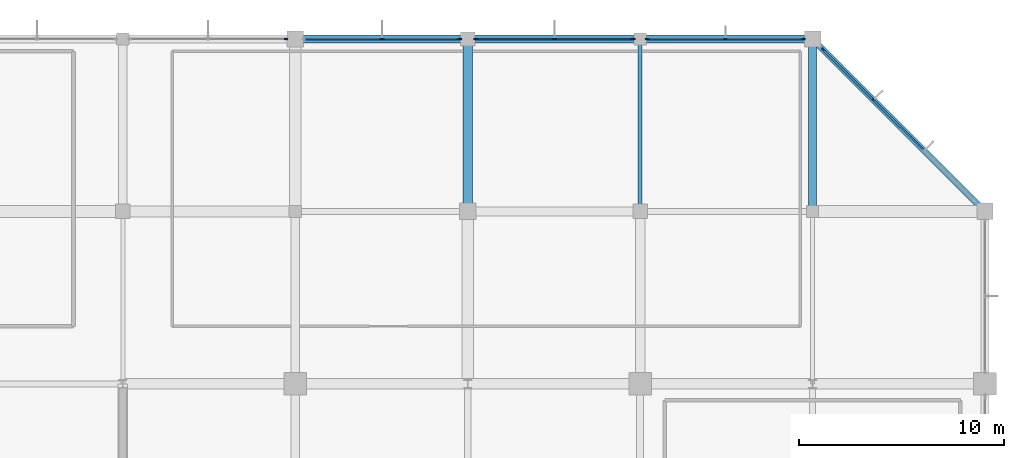
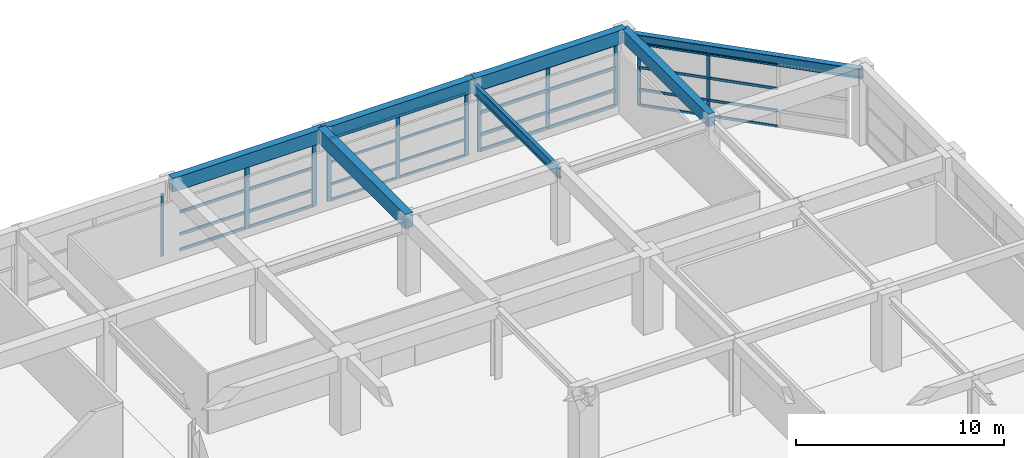
# One storey, part 34 of 56: 43 members, 7 beams, 5 elements without a shape of their own.
"""IFC4 building model written with IfcOpenShell, lengths in metres."""

from ifc_helpers import new_model, si_unit, direction, frame, origin, origin_2d, place, context, subcontext, project, spatial, rectangle, i_section, extrude, material, material_profile, profile_set, type_object, element, aggregate, save


model = new_model("IFC4")

# Units and contexts
model_context = context("Model", 3, precision=1e-05, world=origin(), true_north=direction((0.0, 1.0)))
body_context = subcontext(model_context, "Body", "Model", "MODEL_VIEW")
ifc_project = project(units=[si_unit("LENGTHUNIT", "METRE"), si_unit("AREAUNIT", "SQUARE_METRE"), si_unit("VOLUMEUNIT", "CUBIC_METRE"), si_unit("PLANEANGLEUNIT", "RADIAN"), si_unit("MASSUNIT", "GRAM", prefix="KILO")], contexts=[model_context])

# Site, building, storey
site_placement = place(None, origin())
site = spatial("IfcSite", under=ifc_project, at=site_placement, CompositionType="ELEMENT")
building_placement = place(site_placement, origin())
building = spatial("IfcBuilding", under=site, at=building_placement, Name="Xuanlan Plaza Opera House", CompositionType="ELEMENT")
storey_placement = place(building_placement, frame((0.0, 0.0, 18.89990234375)))
storey = spatial("IfcBuildingStorey", under=building, at=storey_placement, Name="L04", CompositionType="ELEMENT", Elevation=18.89990234375)

# Curtain wall, member
ifc_material_1 = material(Name="Anodised Aluminium 6063-T6 and Low-E Glass", Category="aluminium")
curtain_wall_type_1 = type_object("IfcCurtainWallType", Name="ENV-CW-CW-05", PredefinedType="USERDEFINED", material=ifc_material_1)
curtain_wall_1_placement = place(storey_placement, origin())
curtain_wall_1 = element("IfcCurtainWall", 1, at=curtain_wall_1_placement, inside=storey, type_object=curtain_wall_type_1, Name="Acoustic Glazed Wall L04-030", ObjectType="ACOUSTIC GLAZED WALL", PredefinedType="USERDEFINED")
ifc_material_2 = material(Name="Anodised Aluminium 6063-T6", Category="aluminium")
ifc_material_profile_1 = material_profile(ifc_material_2, rectangle(XDim=0.06494140625, YDim=0.159912109375, at=origin_2d()), Name="ALU-M 65x160")
ifc_profile_set_1 = profile_set([ifc_material_profile_1], Name="Anodised Aluminium 6063-T6")
member_type_1 = type_object("IfcMemberType", Name="ENV-CWM-01", PredefinedType="MULLION", material=ifc_profile_set_1)
member_1_placement = place(storey_placement, frame((133.947509765625, 100.800048828125, 0.0), z_axis=(0.0, 0.0, 1.0), x_axis=(0.0, -1.0, 0.0)))
member_1 = element("IfcMember", 2, at=member_1_placement, type_object=member_type_1, Name="CW-05 mullion 1", PredefinedType="MULLION", context=body_context, shape_type="SweptSolid", body=[
    extrude(rectangle(XDim=0.06494140625, YDim=0.159912109375, at=origin_2d()), origin(), (0.0, 0.0, 1.0), 3.68017578125),
])
aggregate(curtain_wall_1, [member_1])

# Curtain wall, members
curtain_wall_type_2 = type_object("IfcCurtainWallType", Name="ENV-CW-CW-04", PredefinedType="USERDEFINED", material=ifc_material_1)
curtain_wall_2_placement = place(storey_placement, origin())
curtain_wall_2 = element("IfcCurtainWall", 3, at=curtain_wall_2_placement, inside=storey, type_object=curtain_wall_type_2, Name="Unitised Curtain Wall L04-026", ObjectType="UNITISED CURTAIN WALL", PredefinedType="USERDEFINED")
ifc_material_profile_2 = material_profile(ifc_material_2, rectangle(XDim=0.070068359375, YDim=0.179931640625, at=origin_2d()), Name="ALU-M 70x180")
ifc_profile_set_2 = profile_set([ifc_material_profile_2], Name="Anodised Aluminium 6063-T6")
member_type_2 = type_object("IfcMemberType", Name="ENV-CWM-02", PredefinedType="MULLION", material=ifc_profile_set_2)
member_2_placement = place(storey_placement, frame((162.56640625, 97.833740234375, 0.0), z_axis=(0.0, 0.0, 1.0), x_axis=(-0.707106781187, -0.707106781187, 0.0)))
member_2 = element("IfcMember", 4, at=member_2_placement, type_object=member_type_2, Name="CW-04 mullion 3", PredefinedType="MULLION", context=body_context, shape_type="SweptSolid", body=[
    extrude(rectangle(XDim=0.070068359375, YDim=0.179931640625, at=origin_2d()), origin(), (0.0, 0.0, 1.0), 3.68017578125),
])
member_3_placement = place(storey_placement, frame((160.123779296875, 100.2763671875, 0.0), z_axis=(0.0, 0.0, 1.0), x_axis=(-0.707106781187, -0.707106781187, 0.0)))
member_3 = element("IfcMember", 5, at=member_3_placement, type_object=member_type_2, Name="CW-04 mullion 4", PredefinedType="MULLION", context=body_context, shape_type="SweptSolid", body=[
    extrude(rectangle(XDim=0.070068359375, YDim=0.179931640625, at=origin_2d()), origin(), (0.0, 0.0, 1.0), 3.68017578125),
])

curtain_wall_type_3 = type_object("IfcCurtainWallType", Name="ENV-CW-CW-01", PredefinedType="USERDEFINED", material=ifc_material_1)
curtain_wall_3_placement = place(storey_placement, origin())
curtain_wall_3 = element("IfcCurtainWall", 6, at=curtain_wall_3_placement, inside=storey, type_object=curtain_wall_type_3, Name="Unitised Curtain Wall L04-027", ObjectType="UNITISED CURTAIN WALL", PredefinedType="USERDEFINED")
ifc_material_profile_3 = material_profile(ifc_material_2, rectangle(XDim=0.074951171875, YDim=0.199951171875, at=origin_2d()), Name="ALU-M 75x200")
ifc_profile_set_3 = profile_set([ifc_material_profile_3], Name="Anodised Aluminium 6063-T6")
member_type_3 = type_object("IfcMemberType", Name="ENV-CWM-03", PredefinedType="MULLION", material=ifc_profile_set_3)
member_4_placement = place(storey_placement, frame((159.142578125, 100.800048828125, 0.0), z_axis=(0.0, 0.0, 1.0), x_axis=(0.0, -1.0, 0.0)))
member_4 = element("IfcMember", 7, at=member_4_placement, type_object=member_type_3, Name="CW-01 mullion 1", PredefinedType="MULLION", context=body_context, shape_type="SweptSolid", body=[
    extrude(rectangle(XDim=0.074951171875, YDim=0.199951171875, at=origin_2d()), origin(), (0.0, 0.0, 1.0), 3.68017578125),
])
member_5_placement = place(storey_placement, frame((155.35009765625, 100.800048828125, 0.0), z_axis=(0.0, 0.0, 1.0), x_axis=(0.0, -1.0, 0.0)))
member_5 = element("IfcMember", 8, at=member_5_placement, type_object=member_type_3, Name="CW-01 mullion 2", PredefinedType="MULLION", context=body_context, shape_type="SweptSolid", body=[
    extrude(rectangle(XDim=0.074951171875, YDim=0.199951171875, at=origin_2d()), origin(), (0.0, 0.0, 1.0), 3.68017578125),
])
member_6_placement = place(storey_placement, frame((151.5576171875, 100.800048828125, 0.0), z_axis=(0.0, 0.0, 1.0), x_axis=(0.0, -1.0, 0.0)))
member_6 = element("IfcMember", 9, at=member_6_placement, type_object=member_type_3, Name="CW-01 mullion 3", PredefinedType="MULLION", context=body_context, shape_type="SweptSolid", body=[
    extrude(rectangle(XDim=0.074951171875, YDim=0.199951171875, at=origin_2d()), origin(), (0.0, 0.0, 1.0), 3.68017578125),
])

curtain_wall_type_4 = type_object("IfcCurtainWallType", Name="ENV-CW-CW-02", PredefinedType="USERDEFINED", material=ifc_material_1)
curtain_wall_4_placement = place(storey_placement, origin())
curtain_wall_4 = element("IfcCurtainWall", 10, at=curtain_wall_4_placement, inside=storey, type_object=curtain_wall_type_4, Name="Unitised Curtain Wall L04-028", ObjectType="UNITISED CURTAIN WALL", PredefinedType="USERDEFINED")
ifc_material_profile_4 = material_profile(ifc_material_2, rectangle(XDim=0.080078125, YDim=0.219970703125, at=origin_2d()), Name="ALU-M 80x220")
ifc_profile_set_4 = profile_set([ifc_material_profile_4], Name="Anodised Aluminium 6063-T6")
member_type_4 = type_object("IfcMemberType", Name="ENV-CWM-04", PredefinedType="MULLION", material=ifc_profile_set_4)
member_7_placement = place(storey_placement, frame((150.840087890625, 100.800048828125, 0.0), z_axis=(0.0, 0.0, 1.0), x_axis=(0.0, -1.0, 0.0)))
member_7 = element("IfcMember", 11, at=member_7_placement, type_object=member_type_4, Name="CW-02 mullion 1", PredefinedType="MULLION", context=body_context, shape_type="SweptSolid", body=[
    extrude(rectangle(XDim=0.080078125, YDim=0.219970703125, at=origin_2d()), origin(), (0.0, 0.0, 1.0), 3.68017578125),
])
member_8_placement = place(storey_placement, frame((147.02490234375, 100.800048828125, 0.0), z_axis=(0.0, 0.0, 1.0), x_axis=(0.0, -1.0, 0.0)))
member_8 = element("IfcMember", 12, at=member_8_placement, type_object=member_type_4, Name="CW-02 mullion 2", PredefinedType="MULLION", context=body_context, shape_type="SweptSolid", body=[
    extrude(rectangle(XDim=0.080078125, YDim=0.219970703125, at=origin_2d()), origin(), (0.0, 0.0, 1.0), 3.68017578125),
])
member_9_placement = place(storey_placement, frame((143.2099609375, 100.800048828125, 0.0), z_axis=(0.0, 0.0, 1.0), x_axis=(0.0, -1.0, 0.0)))
member_9 = element("IfcMember", 13, at=member_9_placement, type_object=member_type_4, Name="CW-02 mullion 3", PredefinedType="MULLION", context=body_context, shape_type="SweptSolid", body=[
    extrude(rectangle(XDim=0.080078125, YDim=0.219970703125, at=origin_2d()), origin(), (0.0, 0.0, 1.0), 3.68017578125),
])

curtain_wall_type_5 = type_object("IfcCurtainWallType", Name="ENV-CW-CW-03", PredefinedType="USERDEFINED", material=ifc_material_1)
curtain_wall_5_placement = place(storey_placement, origin())
curtain_wall_5 = element("IfcCurtainWall", 14, at=curtain_wall_5_placement, inside=storey, type_object=curtain_wall_type_5, Name="Unitised Curtain Wall L04-029", ObjectType="UNITISED CURTAIN WALL", PredefinedType="USERDEFINED")
ifc_material_profile_5 = material_profile(ifc_material_2, rectangle(XDim=0.090087890625, YDim=0.25, at=origin_2d()), Name="ALU-M 90x250")
ifc_profile_set_5 = profile_set([ifc_material_profile_5], Name="Anodised Aluminium 6063-T6")
member_type_5 = type_object("IfcMemberType", Name="ENV-CWM-05", PredefinedType="MULLION", material=ifc_profile_set_5)
member_10_placement = place(storey_placement, frame((142.385009765625, 100.800048828125, 0.0), z_axis=(0.0, 0.0, 1.0), x_axis=(0.0, -1.0, 0.0)))
member_10 = element("IfcMember", 15, at=member_10_placement, type_object=member_type_5, Name="CW-03 mullion 1", PredefinedType="MULLION", context=body_context, shape_type="SweptSolid", body=[
    extrude(rectangle(XDim=0.090087890625, YDim=0.25, at=origin_2d()), origin(), (0.0, 0.0, 1.0), 3.68017578125),
])
member_11_placement = place(storey_placement, frame((138.625, 100.800048828125, 0.0), z_axis=(0.0, 0.0, 1.0), x_axis=(0.0, -1.0, 0.0)))
member_11 = element("IfcMember", 16, at=member_11_placement, type_object=member_type_5, Name="CW-03 mullion 2", PredefinedType="MULLION", context=body_context, shape_type="SweptSolid", body=[
    extrude(rectangle(XDim=0.090087890625, YDim=0.25, at=origin_2d()), origin(), (0.0, 0.0, 1.0), 3.68017578125),
])

# Member
ifc_material_profile_6 = material_profile(ifc_material_2, rectangle(XDim=0.070068359375, YDim=0.135009765625, at=origin_2d()), Name="ALU-T 70x135")
ifc_profile_set_6 = profile_set([ifc_material_profile_6], Name="Anodised Aluminium 6063-T6")
member_type_6 = type_object("IfcMemberType", Name="ENV-CWT-02", PredefinedType="USERDEFINED", material=ifc_profile_set_6)
member_12_placement = place(storey_placement, frame((150.800048828125, 100.800048828125, 0.03515625), z_axis=(-1.0, 0.0, 0.0), x_axis=(0.0, -1.0, 0.0)))
member_12 = element("IfcMember", 17, at=member_12_placement, type_object=member_type_6, Name="CW-02 transom 1.1", ObjectType="TRANSOM", PredefinedType="USERDEFINED", context=body_context, shape_type="SweptSolid", body=[
    extrude(rectangle(XDim=0.070068359375, YDim=0.135009765625, at=origin_2d()), origin(), (0.0, 0.0, 1.0), 3.735107421875),
])

member_13_placement = place(storey_placement, frame((150.800048828125, 100.800048828125, 0.9501953125), z_axis=(-1.0, 0.0, 0.0), x_axis=(0.0, -1.0, 0.0)))
member_13 = element("IfcMember", 18, at=member_13_placement, type_object=member_type_6, Name="CW-02 transom 1.2", ObjectType="TRANSOM", PredefinedType="USERDEFINED", context=body_context, shape_type="SweptSolid", body=[
    extrude(rectangle(XDim=0.070068359375, YDim=0.135009765625, at=origin_2d()), origin(), (0.0, 0.0, 1.0), 3.735107421875),
])

member_14_placement = place(storey_placement, frame((150.800048828125, 100.800048828125, 2.25), z_axis=(-1.0, 0.0, 0.0), x_axis=(0.0, -1.0, 0.0)))
member_14 = element("IfcMember", 19, at=member_14_placement, type_object=member_type_6, Name="CW-02 transom 1.3", ObjectType="TRANSOM", PredefinedType="USERDEFINED", context=body_context, shape_type="SweptSolid", body=[
    extrude(rectangle(XDim=0.070068359375, YDim=0.135009765625, at=origin_2d()), origin(), (0.0, 0.0, 1.0), 3.735107421875),
])

member_15_placement = place(storey_placement, frame((150.800048828125, 100.800048828125, 3.64501953125), z_axis=(-1.0, 0.0, 0.0), x_axis=(0.0, -1.0, 0.0)))
member_15 = element("IfcMember", 20, at=member_15_placement, type_object=member_type_6, Name="CW-02 transom 1.4", ObjectType="TRANSOM", PredefinedType="USERDEFINED", context=body_context, shape_type="SweptSolid", body=[
    extrude(rectangle(XDim=0.070068359375, YDim=0.135009765625, at=origin_2d()), origin(), (0.0, 0.0, 1.0), 3.735107421875),
])

member_16_placement = place(storey_placement, frame((146.985107421875, 100.800048828125, 0.03515625), z_axis=(-1.0, 0.0, 0.0), x_axis=(0.0, -1.0, 0.0)))
member_16 = element("IfcMember", 21, at=member_16_placement, type_object=member_type_6, Name="CW-02 transom 2.1", ObjectType="TRANSOM", PredefinedType="USERDEFINED", context=body_context, shape_type="SweptSolid", body=[
    extrude(rectangle(XDim=0.070068359375, YDim=0.135009765625, at=origin_2d()), origin(), (0.0, 0.0, 1.0), 3.735107421875),
])

member_17_placement = place(storey_placement, frame((146.985107421875, 100.800048828125, 0.9501953125), z_axis=(-1.0, 0.0, 0.0), x_axis=(0.0, -1.0, 0.0)))
member_17 = element("IfcMember", 22, at=member_17_placement, type_object=member_type_6, Name="CW-02 transom 2.2", ObjectType="TRANSOM", PredefinedType="USERDEFINED", context=body_context, shape_type="SweptSolid", body=[
    extrude(rectangle(XDim=0.070068359375, YDim=0.135009765625, at=origin_2d()), origin(), (0.0, 0.0, 1.0), 3.735107421875),
])

member_18_placement = place(storey_placement, frame((146.985107421875, 100.800048828125, 2.25), z_axis=(-1.0, 0.0, 0.0), x_axis=(0.0, -1.0, 0.0)))
member_18 = element("IfcMember", 23, at=member_18_placement, type_object=member_type_6, Name="CW-02 transom 2.3", ObjectType="TRANSOM", PredefinedType="USERDEFINED", context=body_context, shape_type="SweptSolid", body=[
    extrude(rectangle(XDim=0.070068359375, YDim=0.135009765625, at=origin_2d()), origin(), (0.0, 0.0, 1.0), 3.735107421875),
])

member_19_placement = place(storey_placement, frame((146.985107421875, 100.800048828125, 3.64501953125), z_axis=(-1.0, 0.0, 0.0), x_axis=(0.0, -1.0, 0.0)))
member_19 = element("IfcMember", 24, at=member_19_placement, type_object=member_type_6, Name="CW-02 transom 2.4", ObjectType="TRANSOM", PredefinedType="USERDEFINED", context=body_context, shape_type="SweptSolid", body=[
    extrude(rectangle(XDim=0.070068359375, YDim=0.135009765625, at=origin_2d()), origin(), (0.0, 0.0, 1.0), 3.735107421875),
])

aggregate(curtain_wall_4, [member_7, member_8, member_9, member_12, member_13, member_14, member_15, member_16, member_17, member_18, member_19])

ifc_material_profile_7 = material_profile(ifc_material_2, rectangle(XDim=0.074951171875, YDim=0.14990234375, at=origin_2d()), Name="ALU-T 75x150")
ifc_profile_set_7 = profile_set([ifc_material_profile_7], Name="Anodised Aluminium 6063-T6")
member_type_7 = type_object("IfcMemberType", Name="ENV-CWT-03", PredefinedType="USERDEFINED", material=ifc_profile_set_7)
member_20_placement = place(storey_placement, frame((165.009033203125, 95.39111328125, 0.03759765625), z_axis=(-0.707142480128, 0.707071080443, 0.0), x_axis=(-0.707071080443, -0.707142480128, 0.0)))
member_20 = element("IfcMember", 25, at=member_20_placement, type_object=member_type_7, Name="CW-04 transom 2.1", ObjectType="TRANSOM", PredefinedType="USERDEFINED", context=body_context, shape_type="SweptSolid", body=[
    extrude(rectangle(XDim=0.074951171875, YDim=0.14990234375, at=origin_2d()), origin(), (0.0, 0.0, 1.0), 3.41943359375),
])

member_21_placement = place(storey_placement, frame((165.009033203125, 95.39111328125, 0.9501953125), z_axis=(-0.707142480128, 0.707071080443, 0.0), x_axis=(-0.707071080443, -0.707142480128, 0.0)))
member_21 = element("IfcMember", 26, at=member_21_placement, type_object=member_type_7, Name="CW-04 transom 2.2", ObjectType="TRANSOM", PredefinedType="USERDEFINED", context=body_context, shape_type="SweptSolid", body=[
    extrude(rectangle(XDim=0.074951171875, YDim=0.14990234375, at=origin_2d()), origin(), (0.0, 0.0, 1.0), 3.41943359375),
])

member_22_placement = place(storey_placement, frame((165.009033203125, 95.39111328125, 2.25), z_axis=(-0.707142480128, 0.707071080443, 0.0), x_axis=(-0.707071080443, -0.707142480128, 0.0)))
member_22 = element("IfcMember", 27, at=member_22_placement, type_object=member_type_7, Name="CW-04 transom 2.3", ObjectType="TRANSOM", PredefinedType="USERDEFINED", context=body_context, shape_type="SweptSolid", body=[
    extrude(rectangle(XDim=0.074951171875, YDim=0.14990234375, at=origin_2d()), origin(), (0.0, 0.0, 1.0), 3.41943359375),
])

member_23_placement = place(storey_placement, frame((165.009033203125, 95.39111328125, 3.642578125), z_axis=(-0.707142480128, 0.707071080443, 0.0), x_axis=(-0.707071080443, -0.707142480128, 0.0)))
member_23 = element("IfcMember", 28, at=member_23_placement, type_object=member_type_7, Name="CW-04 transom 2.4", ObjectType="TRANSOM", PredefinedType="USERDEFINED", context=body_context, shape_type="SweptSolid", body=[
    extrude(rectangle(XDim=0.074951171875, YDim=0.14990234375, at=origin_2d()), origin(), (0.0, 0.0, 1.0), 3.41943359375),
])

member_24_placement = place(storey_placement, frame((162.54150390625, 97.8583984375, 0.03759765625), z_axis=(-0.707106781187, 0.707106781187, 0.0), x_axis=(-0.707106781187, -0.707106781187, 0.0)))
member_24 = element("IfcMember", 29, at=member_24_placement, type_object=member_type_7, Name="CW-04 transom 3.1", ObjectType="TRANSOM", PredefinedType="USERDEFINED", context=body_context, shape_type="SweptSolid", body=[
    extrude(rectangle(XDim=0.074951171875, YDim=0.14990234375, at=origin_2d()), origin(), (0.0, 0.0, 1.0), 3.38427734375),
])

member_25_placement = place(storey_placement, frame((162.54150390625, 97.8583984375, 0.9501953125), z_axis=(-0.707106781187, 0.707106781187, 0.0), x_axis=(-0.707106781187, -0.707106781187, 0.0)))
member_25 = element("IfcMember", 30, at=member_25_placement, type_object=member_type_7, Name="CW-04 transom 3.2", ObjectType="TRANSOM", PredefinedType="USERDEFINED", context=body_context, shape_type="SweptSolid", body=[
    extrude(rectangle(XDim=0.074951171875, YDim=0.14990234375, at=origin_2d()), origin(), (0.0, 0.0, 1.0), 3.38427734375),
])

member_26_placement = place(storey_placement, frame((162.54150390625, 97.8583984375, 2.25), z_axis=(-0.707106781187, 0.707106781187, 0.0), x_axis=(-0.707106781187, -0.707106781187, 0.0)))
member_26 = element("IfcMember", 31, at=member_26_placement, type_object=member_type_7, Name="CW-04 transom 3.3", ObjectType="TRANSOM", PredefinedType="USERDEFINED", context=body_context, shape_type="SweptSolid", body=[
    extrude(rectangle(XDim=0.074951171875, YDim=0.14990234375, at=origin_2d()), origin(), (0.0, 0.0, 1.0), 3.38427734375),
])

member_27_placement = place(storey_placement, frame((162.54150390625, 97.8583984375, 3.642578125), z_axis=(-0.707106781187, 0.707106781187, 0.0), x_axis=(-0.707106781187, -0.707106781187, 0.0)))
member_27 = element("IfcMember", 32, at=member_27_placement, type_object=member_type_7, Name="CW-04 transom 3.4", ObjectType="TRANSOM", PredefinedType="USERDEFINED", context=body_context, shape_type="SweptSolid", body=[
    extrude(rectangle(XDim=0.074951171875, YDim=0.14990234375, at=origin_2d()), origin(), (0.0, 0.0, 1.0), 3.38427734375),
])

aggregate(curtain_wall_2, [member_2, member_3, member_20, member_21, member_22, member_23, member_24, member_25, member_26, member_27])

ifc_material_profile_8 = material_profile(ifc_material_2, rectangle(XDim=0.080078125, YDim=0.1650390625, at=origin_2d()), Name="ALU-T 80x165")
ifc_profile_set_8 = profile_set([ifc_material_profile_8], Name="Anodised Aluminium 6063-T6")
member_type_8 = type_object("IfcMemberType", Name="ENV-CWT-04", PredefinedType="USERDEFINED", material=ifc_profile_set_8)
member_28_placement = place(storey_placement, frame((142.340087890625, 100.800048828125, 0.0400390625), z_axis=(-1.0, 0.0, 0.0), x_axis=(0.0, -1.0, 0.0)))
member_28 = element("IfcMember", 33, at=member_28_placement, type_object=member_type_8, Name="CW-03 transom 1.1", ObjectType="TRANSOM", PredefinedType="USERDEFINED", context=body_context, shape_type="SweptSolid", body=[
    extrude(rectangle(XDim=0.080078125, YDim=0.1650390625, at=origin_2d()), origin(), (0.0, 0.0, 1.0), 3.670166015625),
])

member_29_placement = place(storey_placement, frame((142.340087890625, 100.800048828125, 0.9501953125), z_axis=(-1.0, 0.0, 0.0), x_axis=(0.0, -1.0, 0.0)))
member_29 = element("IfcMember", 34, at=member_29_placement, type_object=member_type_8, Name="CW-03 transom 1.2", ObjectType="TRANSOM", PredefinedType="USERDEFINED", context=body_context, shape_type="SweptSolid", body=[
    extrude(rectangle(XDim=0.080078125, YDim=0.1650390625, at=origin_2d()), origin(), (0.0, 0.0, 1.0), 3.670166015625),
])

member_30_placement = place(storey_placement, frame((142.340087890625, 100.800048828125, 2.25), z_axis=(-1.0, 0.0, 0.0), x_axis=(0.0, -1.0, 0.0)))
member_30 = element("IfcMember", 35, at=member_30_placement, type_object=member_type_8, Name="CW-03 transom 1.3", ObjectType="TRANSOM", PredefinedType="USERDEFINED", context=body_context, shape_type="SweptSolid", body=[
    extrude(rectangle(XDim=0.080078125, YDim=0.1650390625, at=origin_2d()), origin(), (0.0, 0.0, 1.0), 3.670166015625),
])

member_31_placement = place(storey_placement, frame((142.340087890625, 100.800048828125, 3.64013671875), z_axis=(-1.0, 0.0, 0.0), x_axis=(0.0, -1.0, 0.0)))
member_31 = element("IfcMember", 36, at=member_31_placement, type_object=member_type_8, Name="CW-03 transom 1.4", ObjectType="TRANSOM", PredefinedType="USERDEFINED", context=body_context, shape_type="SweptSolid", body=[
    extrude(rectangle(XDim=0.080078125, YDim=0.1650390625, at=origin_2d()), origin(), (0.0, 0.0, 1.0), 3.670166015625),
])

member_32_placement = place(storey_placement, frame((138.580078125, 100.800048828125, 0.0400390625), z_axis=(-1.0, 0.0, 0.0), x_axis=(0.0, -1.0, 0.0)))
member_32 = element("IfcMember", 37, at=member_32_placement, type_object=member_type_8, Name="CW-03 transom 2.1", ObjectType="TRANSOM", PredefinedType="USERDEFINED", context=body_context, shape_type="SweptSolid", body=[
    extrude(rectangle(XDim=0.080078125, YDim=0.1650390625, at=origin_2d()), origin(), (0.0, 0.0, 1.0), 3.670166015625),
])

member_33_placement = place(storey_placement, frame((138.580078125, 100.800048828125, 0.9501953125), z_axis=(-1.0, 0.0, 0.0), x_axis=(0.0, -1.0, 0.0)))
member_33 = element("IfcMember", 38, at=member_33_placement, type_object=member_type_8, Name="CW-03 transom 2.2", ObjectType="TRANSOM", PredefinedType="USERDEFINED", context=body_context, shape_type="SweptSolid", body=[
    extrude(rectangle(XDim=0.080078125, YDim=0.1650390625, at=origin_2d()), origin(), (0.0, 0.0, 1.0), 3.670166015625),
])

member_34_placement = place(storey_placement, frame((138.580078125, 100.800048828125, 2.25), z_axis=(-1.0, 0.0, 0.0), x_axis=(0.0, -1.0, 0.0)))
member_34 = element("IfcMember", 39, at=member_34_placement, type_object=member_type_8, Name="CW-03 transom 2.3", ObjectType="TRANSOM", PredefinedType="USERDEFINED", context=body_context, shape_type="SweptSolid", body=[
    extrude(rectangle(XDim=0.080078125, YDim=0.1650390625, at=origin_2d()), origin(), (0.0, 0.0, 1.0), 3.670166015625),
])

member_35_placement = place(storey_placement, frame((138.580078125, 100.800048828125, 3.64013671875), z_axis=(-1.0, 0.0, 0.0), x_axis=(0.0, -1.0, 0.0)))
member_35 = element("IfcMember", 40, at=member_35_placement, type_object=member_type_8, Name="CW-03 transom 2.4", ObjectType="TRANSOM", PredefinedType="USERDEFINED", context=body_context, shape_type="SweptSolid", body=[
    extrude(rectangle(XDim=0.080078125, YDim=0.1650390625, at=origin_2d()), origin(), (0.0, 0.0, 1.0), 3.670166015625),
])

aggregate(curtain_wall_5, [member_10, member_11, member_28, member_29, member_30, member_31, member_32, member_33, member_34, member_35])

ifc_material_profile_9 = material_profile(ifc_material_2, rectangle(XDim=0.090087890625, YDim=0.179931640625, at=origin_2d()), Name="ALU-T 90x180")
ifc_profile_set_9 = profile_set([ifc_material_profile_9], Name="Anodised Aluminium 6063-T6")
member_type_9 = type_object("IfcMemberType", Name="ENV-CWT-05", PredefinedType="USERDEFINED", material=ifc_profile_set_9)
member_36_placement = place(storey_placement, frame((159.10498046875, 100.800048828125, 0.045166015625), z_axis=(-1.0, 0.0, 0.0), x_axis=(0.0, -1.0, 0.0)))
member_36 = element("IfcMember", 41, at=member_36_placement, type_object=member_type_9, Name="CW-01 transom 1.1", ObjectType="TRANSOM", PredefinedType="USERDEFINED", context=body_context, shape_type="SweptSolid", body=[
    extrude(rectangle(XDim=0.090087890625, YDim=0.179931640625, at=origin_2d()), origin(), (0.0, 0.0, 1.0), 3.717529296875),
])

member_37_placement = place(storey_placement, frame((159.10498046875, 100.800048828125, 0.9501953125), z_axis=(-1.0, 0.0, 0.0), x_axis=(0.0, -1.0, 0.0)))
member_37 = element("IfcMember", 42, at=member_37_placement, type_object=member_type_9, Name="CW-01 transom 1.2", ObjectType="TRANSOM", PredefinedType="USERDEFINED", context=body_context, shape_type="SweptSolid", body=[
    extrude(rectangle(XDim=0.090087890625, YDim=0.179931640625, at=origin_2d()), origin(), (0.0, 0.0, 1.0), 3.717529296875),
])

member_38_placement = place(storey_placement, frame((159.10498046875, 100.800048828125, 2.25), z_axis=(-1.0, 0.0, 0.0), x_axis=(0.0, -1.0, 0.0)))
member_38 = element("IfcMember", 43, at=member_38_placement, type_object=member_type_9, Name="CW-01 transom 1.3", ObjectType="TRANSOM", PredefinedType="USERDEFINED", context=body_context, shape_type="SweptSolid", body=[
    extrude(rectangle(XDim=0.090087890625, YDim=0.179931640625, at=origin_2d()), origin(), (0.0, 0.0, 1.0), 3.717529296875),
])

member_39_placement = place(storey_placement, frame((159.10498046875, 100.800048828125, 3.635009765625), z_axis=(-1.0, 0.0, 0.0), x_axis=(0.0, -1.0, 0.0)))
member_39 = element("IfcMember", 44, at=member_39_placement, type_object=member_type_9, Name="CW-01 transom 1.4", ObjectType="TRANSOM", PredefinedType="USERDEFINED", context=body_context, shape_type="SweptSolid", body=[
    extrude(rectangle(XDim=0.090087890625, YDim=0.179931640625, at=origin_2d()), origin(), (0.0, 0.0, 1.0), 3.717529296875),
])

member_40_placement = place(storey_placement, frame((155.3125, 100.800048828125, 0.045166015625), z_axis=(-1.0, 0.0, 0.0), x_axis=(0.0, -1.0, 0.0)))
member_40 = element("IfcMember", 45, at=member_40_placement, type_object=member_type_9, Name="CW-01 transom 2.1", ObjectType="TRANSOM", PredefinedType="USERDEFINED", context=body_context, shape_type="SweptSolid", body=[
    extrude(rectangle(XDim=0.090087890625, YDim=0.179931640625, at=origin_2d()), origin(), (0.0, 0.0, 1.0), 3.717529296875),
])

member_41_placement = place(storey_placement, frame((155.3125, 100.800048828125, 0.9501953125), z_axis=(-1.0, 0.0, 0.0), x_axis=(0.0, -1.0, 0.0)))
member_41 = element("IfcMember", 46, at=member_41_placement, type_object=member_type_9, Name="CW-01 transom 2.2", ObjectType="TRANSOM", PredefinedType="USERDEFINED", context=body_context, shape_type="SweptSolid", body=[
    extrude(rectangle(XDim=0.090087890625, YDim=0.179931640625, at=origin_2d()), origin(), (0.0, 0.0, 1.0), 3.717529296875),
])

member_42_placement = place(storey_placement, frame((155.3125, 100.800048828125, 2.25), z_axis=(-1.0, 0.0, 0.0), x_axis=(0.0, -1.0, 0.0)))
member_42 = element("IfcMember", 47, at=member_42_placement, type_object=member_type_9, Name="CW-01 transom 2.3", ObjectType="TRANSOM", PredefinedType="USERDEFINED", context=body_context, shape_type="SweptSolid", body=[
    extrude(rectangle(XDim=0.090087890625, YDim=0.179931640625, at=origin_2d()), origin(), (0.0, 0.0, 1.0), 3.717529296875),
])

member_43_placement = place(storey_placement, frame((155.3125, 100.800048828125, 3.635009765625), z_axis=(-1.0, 0.0, 0.0), x_axis=(0.0, -1.0, 0.0)))
member_43 = element("IfcMember", 48, at=member_43_placement, type_object=member_type_9, Name="CW-01 transom 2.4", ObjectType="TRANSOM", PredefinedType="USERDEFINED", context=body_context, shape_type="SweptSolid", body=[
    extrude(rectangle(XDim=0.090087890625, YDim=0.179931640625, at=origin_2d()), origin(), (0.0, 0.0, 1.0), 3.717529296875),
])

aggregate(curtain_wall_3, [member_4, member_5, member_6, member_36, member_37, member_38, member_39, member_40, member_41, member_42, member_43])

# Beams
ifc_material_3 = material(Name="Concrete C40", Category="concrete")
ifc_material_profile_10 = material_profile(ifc_material_3, rectangle(XDim=0.449951171875, YDim=0.85009765625, at=origin_2d()), Name="RC-BM 450x850")
ifc_profile_set_10 = profile_set([ifc_material_profile_10], Name="Concrete C40")
beam_type_1 = type_object("IfcBeamType", Name="STR-BM-B-04", PredefinedType="BEAM", material=ifc_profile_set_10)
beam_1_placement = place(storey_placement, frame((142.800048828125, 92.39990234375, 4.0751953125), z_axis=(0.0, 1.0, 0.0), x_axis=(-1.0, 0.0, 0.0)))
element("IfcBeam", 49, at=beam_1_placement, inside=storey, type_object=beam_type_1, Name="Grid Beam Y L04 18/L-M", PredefinedType="BEAM", context=body_context, shape_type="SweptSolid", body=[
    extrude(rectangle(XDim=0.449951171875, YDim=0.85009765625, at=origin_2d()), origin(), (0.0, 0.0, 1.0), 8.400146484375),
])
ifc_material_profile_11 = material_profile(ifc_material_3, rectangle(XDim=0.39990234375, YDim=0.75, at=origin_2d()), Name="RC-BM 400x750")
ifc_profile_set_11 = profile_set([ifc_material_profile_11], Name="Concrete C40")
beam_type_2 = type_object("IfcBeamType", Name="STR-BM-B-06", PredefinedType="BEAM", material=ifc_profile_set_11)
beam_2_placement = place(storey_placement, frame((159.60009765625, 92.39990234375, 4.125), z_axis=(0.0, 1.0, 0.0), x_axis=(-1.0, 0.0, 0.0)))
element("IfcBeam", 50, at=beam_2_placement, inside=storey, type_object=beam_type_2, Name="Grid Beam Y L04 20/L-M", PredefinedType="BEAM", context=body_context, shape_type="SweptSolid", body=[
    extrude(rectangle(XDim=0.39990234375, YDim=0.75, at=origin_2d()), origin(), (0.0, 0.0, 1.0), 8.400146484375),
])
ifc_material_4 = material(Name="Steel Q355B", Category="steel")
ifc_material_profile_12 = material_profile(ifc_material_4, i_section(OverallWidth=0.199951171875, OverallDepth=0.60009765625, WebThickness=0.010986328125, FlangeThickness=0.01708984375, FilletRadius=0.02197265625, at=origin_2d()), Name="HN 600x200x11x17")
ifc_profile_set_12 = profile_set([ifc_material_profile_12], Name="Steel Q355B")
beam_type_3 = type_object("IfcBeamType", Name="STR-BM-SB-04", PredefinedType="BEAM", material=ifc_profile_set_12)
beam_3_placement = place(storey_placement, frame((151.199951171875, 92.39990234375, 3.93505859375), z_axis=(0.0, 1.0, 0.0), x_axis=(-1.0, 0.0, 0.0)))
element("IfcBeam", 51, at=beam_3_placement, inside=storey, type_object=beam_type_3, Name="Grid Beam Y L04 19/L-M", PredefinedType="BEAM", context=body_context, shape_type="SweptSolid", body=[
    extrude(i_section(OverallWidth=0.199951171875, OverallDepth=0.60009765625, WebThickness=0.010986328125, FlangeThickness=0.01708984375, FilletRadius=0.02197265625, at=origin_2d()), origin(), (0.0, 0.0, 1.0), 8.400146484375),
])
ifc_material_profile_13 = material_profile(ifc_material_3, rectangle(XDim=0.39990234375, YDim=0.800048828125, at=origin_2d()), Name="RC-SPD 400x800")
ifc_profile_set_13 = profile_set([ifc_material_profile_13], Name="Concrete C40")
beam_type_4 = type_object("IfcBeamType", Name="STR-BM-SP-01", PredefinedType="SPANDREL", material=ifc_profile_set_13)
beam_4_placement = place(storey_placement, frame((134.39990234375, 100.800048828125, 4.10009765625), z_axis=(1.0, 0.0, 0.0), x_axis=(0.0, 1.0, 0.0)))
element("IfcBeam", 52, at=beam_4_placement, inside=storey, type_object=beam_type_4, Name="Grid Beam X L04 17-18/M", PredefinedType="SPANDREL", context=body_context, shape_type="SweptSolid", body=[
    extrude(rectangle(XDim=0.39990234375, YDim=0.800048828125, at=origin_2d()), origin(), (0.0, 0.0, 1.0), 8.400146484375),
])
beam_5_placement = place(storey_placement, frame((142.800048828125, 100.800048828125, 4.10009765625), z_axis=(1.0, 0.0, 0.0), x_axis=(0.0, 1.0, 0.0)))
element("IfcBeam", 53, at=beam_5_placement, inside=storey, type_object=beam_type_4, Name="Grid Beam X L04 18-19/M", PredefinedType="SPANDREL", context=body_context, shape_type="SweptSolid", body=[
    extrude(rectangle(XDim=0.39990234375, YDim=0.800048828125, at=origin_2d()), origin(), (0.0, 0.0, 1.0), 8.39990234375),
])
beam_6_placement = place(storey_placement, frame((151.199951171875, 100.800048828125, 4.10009765625), z_axis=(1.0, 0.0, 0.0), x_axis=(0.0, 1.0, 0.0)))
element("IfcBeam", 54, at=beam_6_placement, inside=storey, type_object=beam_type_4, Name="Grid Beam X L04 19-20/M", PredefinedType="SPANDREL", context=body_context, shape_type="SweptSolid", body=[
    extrude(rectangle(XDim=0.39990234375, YDim=0.800048828125, at=origin_2d()), origin(), (0.0, 0.0, 1.0), 8.400146484375),
])
ifc_material_profile_14 = material_profile(ifc_material_4, i_section(OverallWidth=0.300048828125, OverallDepth=0.587890625, WebThickness=0.011962890625, FlangeThickness=0.02001953125, FilletRadius=0.02392578125, at=origin_2d()), Name="HM 588x300x12x20")
ifc_profile_set_14 = profile_set([ifc_material_profile_14], Name="Steel Q355B")
beam_type_5 = type_object("IfcBeamType", Name="STR-BM-SP-03", PredefinedType="SPANDREL", material=ifc_profile_set_14)
beam_7_placement = place(storey_placement, frame((159.60009765625, 100.800048828125, 3.941162109375), z_axis=(0.707096505339, -0.707117056885, 0.0), x_axis=(0.707117056885, 0.707096505339, 0.0)))
element("IfcBeam", 55, at=beam_7_placement, inside=storey, type_object=beam_type_5, Name="Faceted Edge Spandrel L04 CH07", PredefinedType="SPANDREL", context=body_context, shape_type="SweptSolid", body=[
    extrude(i_section(OverallWidth=0.300048828125, OverallDepth=0.587890625, WebThickness=0.011962890625, FlangeThickness=0.02001953125, FilletRadius=0.02392578125, at=origin_2d()), origin(), (0.0, 0.0, 1.0), 11.87939453125),
])

save(model, "model.ifc")
